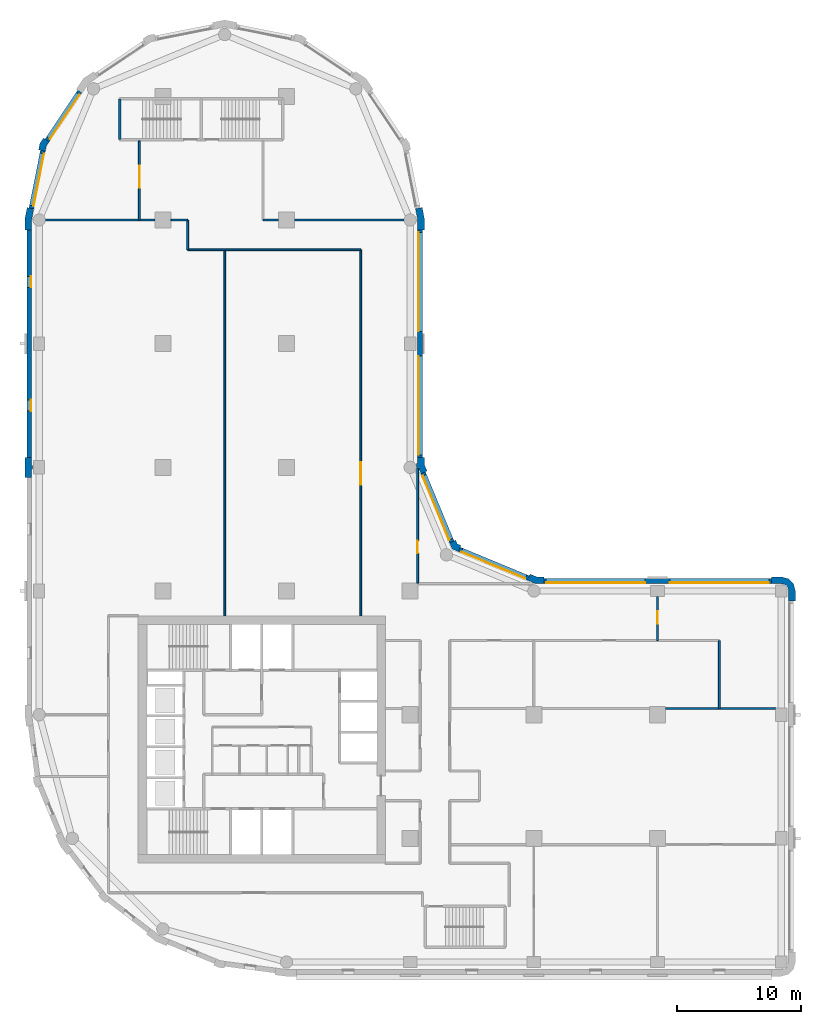
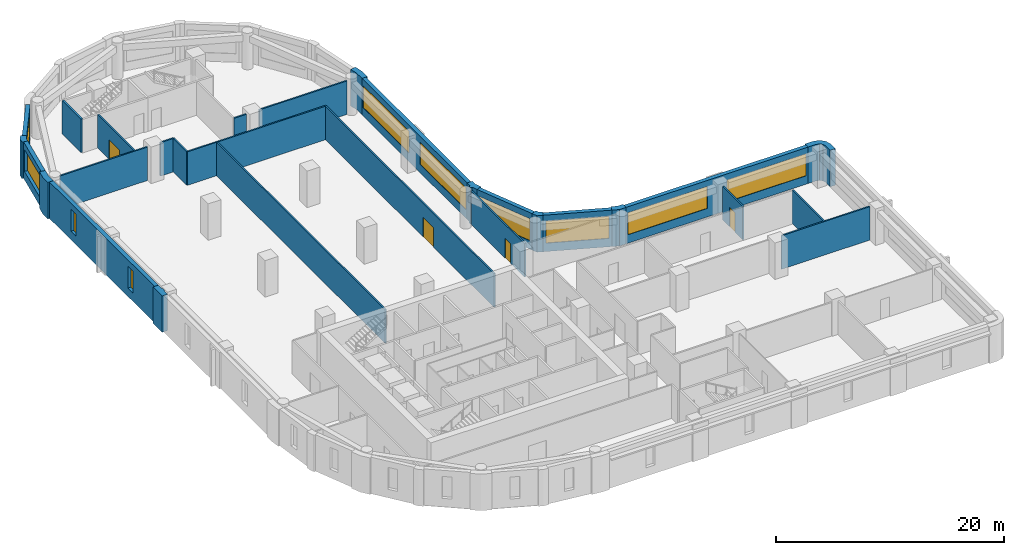
# One storey, part 5 of 9: 29 walls, 10 windows, 4 doors, 14 openings.
"""IFC4 building model written with IfcOpenShell, lengths in metres."""

from ifc_helpers import new_model, si_unit, direction, frame, frame_2d, origin, place, context, subcontext, project, spatial, polyline, rectangle, outline, extrude, material, layer, layer_set, type_object, element, fill, save


model = new_model("IFC4")

# Units and contexts
model_context = context("Model", 3, precision=1e-05, world=origin(), true_north=direction((0.0, 1.0)))
body_context = subcontext(model_context, "Body", "Model", "MODEL_VIEW")
ifc_project = project(units=[si_unit("LENGTHUNIT", "METRE"), si_unit("AREAUNIT", "SQUARE_METRE"), si_unit("VOLUMEUNIT", "CUBIC_METRE"), si_unit("PLANEANGLEUNIT", "RADIAN"), si_unit("MASSUNIT", "GRAM", prefix="KILO")], contexts=[model_context])

# Site, building, storey
site_placement = place(None, origin())
site = spatial("IfcSite", under=ifc_project, at=site_placement, CompositionType="ELEMENT")
building_placement = place(site_placement, origin())
building = spatial("IfcBuilding", under=site, at=building_placement, Name="Qaws Garden Tower", CompositionType="ELEMENT")
storey_placement = place(building_placement, frame((0.0, 0.0, 213.60009765625)))
storey = spatial("IfcBuildingStorey", under=building, at=storey_placement, Name="L52", CompositionType="ELEMENT", Elevation=213.60009765625)

# Wall
ifc_material_1 = material(Name="Clay facing brick masonry", Category="masonry")
ifc_layer_1 = layer(ifc_material_1, 0.550048828125)
ifc_layer_set_1 = layer_set([ifc_layer_1], Name="Clay facing brick masonry")
wall_type_1 = type_object("IfcWallType", Name="Brick corner pier 550 x 2400", PredefinedType="SOLIDWALL", material=ifc_layer_set_1)
placement = place(storey_placement, origin())
element("IfcWall", 1, at=placement, inside=storey, type_object=wall_type_1, Name="E-L52-pier-07", PredefinedType="SOLIDWALL", context=body_context, shape_type="SweptSolid", body=[
    extrude(outline(polyline([(61.0, 29.199951171875), (61.14990234375, 29.199951171875), (61.14990234375, 30.0), (60.995849609375, 30.574951171875), (60.574951171875, 30.995849609375), (60.0, 31.14990234375), (59.199951171875, 31.14990234375), (59.199951171875, 31.0), (59.199951171875, 30.60009765625), (60.0, 30.60009765625), (60.300048828125, 30.51953125), (60.51953125, 30.300048828125), (60.60009765625, 30.0), (60.60009765625, 29.199951171875), (61.0, 29.199951171875)])), origin(), (0.0, 0.0, 1.0), 3.89990234375),
])

# Wall, openings, windows
ifc_material_2 = material(Name="Clay facing brick masonry", Category="masonry")
ifc_layer_2 = layer(ifc_material_2, 0.39990234375)
ifc_layer_set_2 = layer_set([ifc_layer_2], Name="Clay facing brick masonry")
wall_type_2 = type_object("IfcWallType", Name="Brick infill wall 400", PredefinedType="SOLIDWALL", material=ifc_layer_set_2)
wall_2_placement = place(storey_placement, frame((59.199951171875, 30.800048828125, 0.0), z_axis=(0.0, 0.0, 1.0), x_axis=(-1.0, 0.0, 0.0)))
wall_2 = element("IfcWall", 2, at=wall_2_placement, inside=storey, type_object=wall_type_2, Name="E-L52-infill-07", PredefinedType="SOLIDWALL", context=body_context, shape_type="SweptSolid", body=[
    extrude(rectangle(XDim=18.39990234375, YDim=0.39990234375, at=frame_2d((9.199951171875, 0.0))), origin(), (0.0, 0.0, 1.0), 3.89990234375),
])
opening_1_placement = place(wall_2_placement, frame((0.199951171875, 0.0, 0.89990234375)))
opening_1 = element("IfcOpeningElement", 3, at=opening_1_placement, cuts=wall_2, Name="Opening W01", PredefinedType="OPENING", context=body_context, shape_type="SweptSolid", body=[
    extrude(rectangle(XDim=8.0, YDim=2.35009765625, at=frame_2d((4.0, 1.175048828125))), frame((0.0, 0.2099609375, 0.0), z_axis=(0.0, -1.0, 0.0), x_axis=(1.0, 0.0, 0.0)), (0.0, 0.0, 1.0), 0.419921875),
])
opening_2_placement = place(wall_2_placement, frame((10.199951171875, 0.0, 0.89990234375)))
opening_2 = element("IfcOpeningElement", 4, at=opening_2_placement, cuts=wall_2, Name="Opening W01", PredefinedType="OPENING", context=body_context, shape_type="SweptSolid", body=[
    extrude(rectangle(XDim=8.0, YDim=2.35009765625, at=frame_2d((4.0, 1.175048828125))), frame((0.0, 0.2099609375, 0.0), z_axis=(0.0, -1.0, 0.0), x_axis=(1.0, 0.0, 0.0)), (0.0, 0.0, 1.0), 0.419921875),
])
ifc_material_3 = material(Name="Aluminium framed window, clear glazing", Category="aluminium")
window_type_1 = type_object("IfcWindowType", Name="Ribbon window 8000 x 2350", PartitioningType="DOUBLE_PANEL_VERTICAL", PredefinedType="WINDOW", material=ifc_material_3)
window_1_placement = place(opening_1_placement, origin())
window_1 = element("IfcWindow", 5, at=window_1_placement, inside=storey, type_object=window_type_1, Name="E-L52-window-07-0", OverallHeight=2.35009765625, OverallWidth=8.0, PartitioningType="SINGLE_PANEL", PredefinedType="WINDOW", context=body_context, shape_type="SweptSolid", body=[
    extrude(rectangle(XDim=8.0, YDim=2.35009765625, at=frame_2d((4.0, 1.175048828125))), frame((0.0, 0.159912109375, 0.0), z_axis=(0.0, -1.0, 0.0), x_axis=(1.0, 0.0, 0.0)), (0.0, 0.0, 1.0), 0.06005859375),
])
fill(opening_1, window_1)
window_2_placement = place(opening_2_placement, origin())
window_2 = element("IfcWindow", 6, at=window_2_placement, inside=storey, type_object=window_type_1, Name="E-L52-window-08-0", OverallHeight=2.35009765625, OverallWidth=8.0, PartitioningType="SINGLE_PANEL", PredefinedType="WINDOW", context=body_context, shape_type="SweptSolid", body=[
    extrude(rectangle(XDim=8.0, YDim=2.35009765625, at=frame_2d((4.0, 1.175048828125))), frame((0.0, 0.159912109375, 0.0), z_axis=(0.0, -1.0, 0.0), x_axis=(1.0, 0.0, 0.0)), (0.0, 0.0, 1.0), 0.06005859375),
])
fill(opening_2, window_2)

# Wall, opening, window
wall_3_placement = place(storey_placement, frame((39.56689453125, 31.04541015625, 0.0), z_axis=(0.0, 0.0, 1.0), x_axis=(-0.923891000409, 0.382655745237, 0.0)))
wall_3 = element("IfcWall", 7, at=wall_3_placement, inside=storey, type_object=wall_type_2, Name="E-L52-infill-09", PredefinedType="SOLIDWALL", context=body_context, shape_type="SweptSolid", body=[
    extrude(rectangle(XDim=6.053466796875, YDim=0.39990234375, at=frame_2d((3.02685546875, 0.0))), origin(), (0.0, 0.0, 1.0), 3.89990234375),
])
opening_3_placement = place(wall_3_placement, frame((0.226806640625, 0.0, 0.89990234375)))
opening_3 = element("IfcOpeningElement", 8, at=opening_3_placement, cuts=wall_3, Name="Opening W04", PredefinedType="OPENING", context=body_context, shape_type="SweptSolid", body=[
    extrude(rectangle(XDim=5.60009765625, YDim=2.35009765625, at=frame_2d((2.800048828125, 1.175048828125))), frame((0.0, 0.2099609375, 0.0), z_axis=(0.0, -1.0, 0.0), x_axis=(1.0, 0.0, 0.0)), (0.0, 0.0, 1.0), 0.419921875),
])
ifc_material_4 = material(Name="Aluminium framed window, clear glazing", Category="aluminium")
window_type_2 = type_object("IfcWindowType", Name="Ribbon window 5600 x 2350", PartitioningType="DOUBLE_PANEL_VERTICAL", PredefinedType="WINDOW", material=ifc_material_4)
window_3_placement = place(opening_3_placement, origin())
window_3 = element("IfcWindow", 9, at=window_3_placement, inside=storey, type_object=window_type_2, Name="E-L52-window-09-0", OverallHeight=2.35009765625, OverallWidth=5.60009765625, PartitioningType="SINGLE_PANEL", PredefinedType="WINDOW", context=body_context, shape_type="SweptSolid", body=[
    extrude(rectangle(XDim=5.60009765625, YDim=2.35009765625, at=frame_2d((2.800048828125, 1.175048828125))), frame((0.0, 0.159912109375, 0.0), z_axis=(0.0, -1.0, 0.0), x_axis=(1.0, 0.0, 0.0)), (0.0, 0.0, 1.0), 0.06005859375),
])
fill(opening_3, window_3)

wall_4_placement = place(storey_placement, frame((33.36181640625, 33.97412109375, 0.0), z_axis=(0.0, 0.0, 1.0), x_axis=(-0.382655745237, 0.923891000409, 0.0)))
wall_4 = element("IfcWall", 10, at=wall_4_placement, inside=storey, type_object=wall_type_2, Name="E-L52-infill-10", PredefinedType="SOLIDWALL", context=body_context, shape_type="SweptSolid", body=[
    extrude(rectangle(XDim=6.053466796875, YDim=0.39990234375, at=frame_2d((3.02685546875, 0.0))), origin(), (0.0, 0.0, 1.0), 3.89990234375),
])
opening_4_placement = place(wall_4_placement, frame((0.226806640625, 0.0, 0.89990234375)))
opening_4 = element("IfcOpeningElement", 11, at=opening_4_placement, cuts=wall_4, Name="Opening W04", PredefinedType="OPENING", context=body_context, shape_type="SweptSolid", body=[
    extrude(rectangle(XDim=5.60009765625, YDim=2.35009765625, at=frame_2d((2.800048828125, 1.175048828125))), frame((0.0, 0.2099609375, 0.0), z_axis=(0.0, -1.0, 0.0), x_axis=(1.0, 0.0, 0.0)), (0.0, 0.0, 1.0), 0.419921875),
])
window_4_placement = place(opening_4_placement, origin())
window_4 = element("IfcWindow", 12, at=window_4_placement, inside=storey, type_object=window_type_2, Name="E-L52-window-10-0", OverallHeight=2.35009765625, OverallWidth=5.60009765625, PartitioningType="SINGLE_PANEL", PredefinedType="WINDOW", context=body_context, shape_type="SweptSolid", body=[
    extrude(rectangle(XDim=5.60009765625, YDim=2.35009765625, at=frame_2d((2.800048828125, 1.175048828125))), frame((0.0, 0.159912109375, 0.0), z_axis=(0.0, -1.0, 0.0), x_axis=(1.0, 0.0, 0.0)), (0.0, 0.0, 1.0), 0.06005859375),
])
fill(opening_4, window_4)

# Wall, openings, windows
wall_5_placement = place(storey_placement, frame((30.800048828125, 40.800048828125, 0.0), z_axis=(0.0, 0.0, 1.0), x_axis=(0.0, 1.0, 0.0)))
wall_5 = element("IfcWall", 13, at=wall_5_placement, inside=storey, type_object=wall_type_2, Name="E-L52-infill-11", PredefinedType="SOLIDWALL", context=body_context, shape_type="SweptSolid", body=[
    extrude(rectangle(XDim=18.39990234375, YDim=0.39990234375, at=frame_2d((9.199951171875, 0.0))), origin(), (0.0, 0.0, 1.0), 3.89990234375),
])
opening_5_placement = place(wall_5_placement, frame((0.199951171875, 0.0, 0.89990234375)))
opening_5 = element("IfcOpeningElement", 14, at=opening_5_placement, cuts=wall_5, Name="Opening W01", PredefinedType="OPENING", context=body_context, shape_type="SweptSolid", body=[
    extrude(rectangle(XDim=8.0, YDim=2.35009765625, at=frame_2d((4.0, 1.175048828125))), frame((0.0, 0.2099609375, 0.0), z_axis=(0.0, -1.0, 0.0), x_axis=(1.0, 0.0, 0.0)), (0.0, 0.0, 1.0), 0.419921875),
])
opening_6_placement = place(wall_5_placement, frame((10.199951171875, 0.0, 0.89990234375)))
opening_6 = element("IfcOpeningElement", 15, at=opening_6_placement, cuts=wall_5, Name="Opening W01", PredefinedType="OPENING", context=body_context, shape_type="SweptSolid", body=[
    extrude(rectangle(XDim=8.0, YDim=2.35009765625, at=frame_2d((4.0, 1.175048828125))), frame((0.0, 0.2099609375, 0.0), z_axis=(0.0, -1.0, 0.0), x_axis=(1.0, 0.0, 0.0)), (0.0, 0.0, 1.0), 0.419921875),
])
window_5_placement = place(opening_5_placement, origin())
window_5 = element("IfcWindow", 16, at=window_5_placement, inside=storey, type_object=window_type_1, Name="E-L52-window-11-0", OverallHeight=2.35009765625, OverallWidth=8.0, PartitioningType="SINGLE_PANEL", PredefinedType="WINDOW", context=body_context, shape_type="SweptSolid", body=[
    extrude(rectangle(XDim=8.0, YDim=2.35009765625, at=frame_2d((4.0, 1.175048828125))), frame((0.0, 0.159912109375, 0.0), z_axis=(0.0, -1.0, 0.0), x_axis=(1.0, 0.0, 0.0)), (0.0, 0.0, 1.0), 0.06005859375),
])
fill(opening_5, window_5)
window_6_placement = place(opening_6_placement, origin())
window_6 = element("IfcWindow", 17, at=window_6_placement, inside=storey, type_object=window_type_1, Name="E-L52-window-12-0", OverallHeight=2.35009765625, OverallWidth=8.0, PartitioningType="SINGLE_PANEL", PredefinedType="WINDOW", context=body_context, shape_type="SweptSolid", body=[
    extrude(rectangle(XDim=8.0, YDim=2.35009765625, at=frame_2d((4.0, 1.175048828125))), frame((0.0, 0.159912109375, 0.0), z_axis=(0.0, -1.0, 0.0), x_axis=(1.0, 0.0, 0.0)), (0.0, 0.0, 1.0), 0.06005859375),
])
fill(opening_6, window_6)

# Wall, opening, window
wall_6_placement = place(storey_placement, frame((3.28369140625, 70.385986328125, 0.0), z_axis=(0.0, 0.0, 1.0), x_axis=(-0.555541552266, -0.831488775454, 0.0)))
wall_6 = element("IfcWall", 18, at=wall_6_placement, inside=storey, type_object=wall_type_2, Name="E-L52-infill-19", PredefinedType="SOLIDWALL", context=body_context, shape_type="SweptSolid", body=[
    extrude(rectangle(XDim=4.752685546875, YDim=0.39990234375, at=frame_2d((2.37646484375, 0.0))), origin(), (0.0, 0.0, 1.0), 3.89990234375),
])
opening_7_placement = place(wall_6_placement, frame((0.226318359375, 0.0, 0.89990234375)))
opening_7 = element("IfcOpeningElement", 19, at=opening_7_placement, cuts=wall_6, Name="Opening W06", PredefinedType="OPENING", context=body_context, shape_type="SweptSolid", body=[
    extrude(rectangle(XDim=4.300048828125, YDim=2.35009765625, at=frame_2d((2.14990234375, 1.175048828125))), frame((0.0, 0.2099609375, 0.0), z_axis=(0.0, -1.0, 0.0), x_axis=(1.0, 0.0, 0.0)), (0.0, 0.0, 1.0), 0.419921875),
])
ifc_material_5 = material(Name="Aluminium framed window, clear glazing", Category="aluminium")
window_type_3 = type_object("IfcWindowType", Name="Ribbon window 4300 x 2350", PartitioningType="DOUBLE_PANEL_VERTICAL", PredefinedType="WINDOW", material=ifc_material_5)
window_7_placement = place(opening_7_placement, origin())
window_7 = element("IfcWindow", 20, at=window_7_placement, inside=storey, type_object=window_type_3, Name="E-L52-window-19-0", OverallHeight=2.35009765625, OverallWidth=4.300048828125, PartitioningType="SINGLE_PANEL", PredefinedType="WINDOW", context=body_context, shape_type="SweptSolid", body=[
    extrude(rectangle(XDim=4.300048828125, YDim=2.35009765625, at=frame_2d((2.14990234375, 1.175048828125))), frame((0.0, 0.159912109375, 0.0), z_axis=(0.0, -1.0, 0.0), x_axis=(1.0, 0.0, 0.0)), (0.0, 0.0, 1.0), 0.06005859375),
])
fill(opening_7, window_7)

wall_7_placement = place(storey_placement, frame((0.298583984375, 65.60205078125, 0.0), z_axis=(0.0, 0.0, 1.0), x_axis=(-0.195098533057, -0.98078364709, 0.0)))
wall_7 = element("IfcWall", 21, at=wall_7_placement, inside=storey, type_object=wall_type_2, Name="E-L52-infill-20", PredefinedType="SOLIDWALL", context=body_context, shape_type="SweptSolid", body=[
    extrude(rectangle(XDim=4.752685546875, YDim=0.39990234375, at=frame_2d((2.37646484375, 0.0))), origin(), (0.0, 0.0, 1.0), 3.89990234375),
])
opening_8_placement = place(wall_7_placement, frame((0.226318359375, 0.0, 0.89990234375)))
opening_8 = element("IfcOpeningElement", 22, at=opening_8_placement, cuts=wall_7, Name="Opening W06", PredefinedType="OPENING", context=body_context, shape_type="SweptSolid", body=[
    extrude(rectangle(XDim=4.300048828125, YDim=2.35009765625, at=frame_2d((2.14990234375, 1.175048828125))), frame((0.0, 0.2099609375, 0.0), z_axis=(0.0, -1.0, 0.0), x_axis=(1.0, 0.0, 0.0)), (0.0, 0.0, 1.0), 0.419921875),
])
window_8_placement = place(opening_8_placement, origin())
window_8 = element("IfcWindow", 23, at=window_8_placement, inside=storey, type_object=window_type_3, Name="E-L52-window-20-0", OverallHeight=2.35009765625, OverallWidth=4.300048828125, PartitioningType="SINGLE_PANEL", PredefinedType="WINDOW", context=body_context, shape_type="SweptSolid", body=[
    extrude(rectangle(XDim=4.300048828125, YDim=2.35009765625, at=frame_2d((2.14990234375, 1.175048828125))), frame((0.0, 0.159912109375, 0.0), z_axis=(0.0, -1.0, 0.0), x_axis=(1.0, 0.0, 0.0)), (0.0, 0.0, 1.0), 0.06005859375),
])
fill(opening_8, window_8)

# Wall, openings, windows
wall_8_placement = place(storey_placement, frame((-0.800048828125, 59.199951171875, 0.0), z_axis=(0.0, 0.0, 1.0), x_axis=(0.0, -1.0, 0.0)))
wall_8 = element("IfcWall", 24, at=wall_8_placement, inside=storey, type_object=wall_type_2, Name="E-L52-infill-21", PredefinedType="SOLIDWALL", context=body_context, shape_type="SweptSolid", body=[
    extrude(rectangle(XDim=18.39990234375, YDim=0.39990234375, at=frame_2d((9.199951171875, 0.0))), origin(), (0.0, 0.0, 1.0), 3.89990234375),
])
opening_9_placement = place(wall_8_placement, frame((3.75, 0.0, 0.89990234375)))
opening_9 = element("IfcOpeningElement", 25, at=opening_9_placement, cuts=wall_8, Name="Opening W09", PredefinedType="OPENING", context=body_context, shape_type="SweptSolid", body=[
    extrude(rectangle(XDim=0.89990234375, YDim=2.35009765625, at=frame_2d((0.449951171875, 1.175048828125))), frame((0.0, 0.2099609375, 0.0), z_axis=(0.0, -1.0, 0.0), x_axis=(1.0, 0.0, 0.0)), (0.0, 0.0, 1.0), 0.419921875),
])
opening_10_placement = place(wall_8_placement, frame((13.75, 0.0, 0.89990234375)))
opening_10 = element("IfcOpeningElement", 26, at=opening_10_placement, cuts=wall_8, Name="Opening W09", PredefinedType="OPENING", context=body_context, shape_type="SweptSolid", body=[
    extrude(rectangle(XDim=0.89990234375, YDim=2.35009765625, at=frame_2d((0.449951171875, 1.175048828125))), frame((0.0, 0.2099609375, 0.0), z_axis=(0.0, -1.0, 0.0), x_axis=(1.0, 0.0, 0.0)), (0.0, 0.0, 1.0), 0.419921875),
])
ifc_material_6 = material(Name="Aluminium framed window, clear glazing", Category="aluminium")
window_type_4 = type_object("IfcWindowType", Name="Slit window 900 x 2350", PartitioningType="SINGLE_PANEL", PredefinedType="WINDOW", material=ifc_material_6)
window_9_placement = place(opening_9_placement, origin())
window_9 = element("IfcWindow", 27, at=window_9_placement, inside=storey, type_object=window_type_4, Name="E-L52-window-21-0", OverallHeight=2.35009765625, OverallWidth=0.89990234375, PartitioningType="SINGLE_PANEL", PredefinedType="WINDOW", context=body_context, shape_type="SweptSolid", body=[
    extrude(rectangle(XDim=0.89990234375, YDim=2.35009765625, at=frame_2d((0.449951171875, 1.175048828125))), frame((0.0, 0.159912109375, 0.0), z_axis=(0.0, -1.0, 0.0), x_axis=(1.0, 0.0, 0.0)), (0.0, 0.0, 1.0), 0.06005859375),
])
fill(opening_9, window_9)
window_10_placement = place(opening_10_placement, origin())
window_10 = element("IfcWindow", 28, at=window_10_placement, inside=storey, type_object=window_type_4, Name="E-L52-window-22-0", OverallHeight=2.35009765625, OverallWidth=0.89990234375, PartitioningType="SINGLE_PANEL", PredefinedType="WINDOW", context=body_context, shape_type="SweptSolid", body=[
    extrude(rectangle(XDim=0.89990234375, YDim=2.35009765625, at=frame_2d((0.449951171875, 1.175048828125))), frame((0.0, 0.159912109375, 0.0), z_axis=(0.0, -1.0, 0.0), x_axis=(1.0, 0.0, 0.0)), (0.0, 0.0, 1.0), 0.06005859375),
])
fill(opening_10, window_10)

# Walls
ifc_material_7 = material(Name="Clay facing brick masonry", Category="masonry")
ifc_layer_3 = layer(ifc_material_7, 0.550048828125)
ifc_layer_set_3 = layer_set([ifc_layer_3], Name="Clay facing brick masonry")
wall_type_3 = type_object("IfcWallType", Name="Brick kink pier 550 x 600", PredefinedType="SOLIDWALL", material=ifc_layer_set_3)
element("IfcWall", 29, at=placement, inside=storey, type_object=wall_type_3, Name="E-L52-pier-20", PredefinedType="SOLIDWALL", context=body_context, shape_type="SweptSolid", body=[
    extrude(outline(polyline([(0.47705078125, 66.545166015625), (0.352294921875, 66.628662109375), (0.05859375, 66.18896484375), (-0.044677734375, 65.67041015625), (0.1025390625, 65.64111328125), (0.494873046875, 65.56298828125), (0.57666015625, 65.974365234375), (0.8095703125, 66.322998046875), (0.47705078125, 66.545166015625)])), origin(), (0.0, 0.0, 1.0), 3.89990234375),
])
ifc_material_8 = material(Name="Clay facing brick masonry", Category="masonry")
ifc_layer_4 = layer(ifc_material_8, 0.550048828125)
ifc_layer_set_4 = layer_set([ifc_layer_4], Name="Clay facing brick masonry")
wall_type_4 = type_object("IfcWallType", Name="Brick pier 550 x 1600", PredefinedType="SOLIDWALL", material=ifc_layer_set_4)
element("IfcWall", 30, at=placement, inside=storey, type_object=wall_type_4, Name="E-L52-pier-09", PredefinedType="SOLIDWALL", context=body_context, shape_type="SweptSolid", body=[
    extrude(outline(polyline([(40.800048828125, 31.0), (40.800048828125, 31.14990234375), (40.228759765625, 31.14990234375), (39.700927734375, 31.36865234375), (39.6435546875, 31.22998046875), (39.490478515625, 30.860595703125), (40.119384765625, 30.60009765625), (40.800048828125, 30.60009765625), (40.800048828125, 31.0)])), origin(), (0.0, 0.0, 1.0), 3.89990234375),
])
element("IfcWall", 31, at=placement, inside=storey, type_object=wall_type_4, Name="E-L52-pier-10", PredefinedType="SOLIDWALL", context=body_context, shape_type="SweptSolid", body=[
    extrude(outline(polyline([(34.05078125, 33.546630859375), (34.108154296875, 33.685302734375), (33.80908203125, 33.80908203125), (33.685302734375, 34.108154296875), (33.546630859375, 34.05078125), (33.177001953125, 33.897705078125), (33.38818359375, 33.38818359375), (33.897705078125, 33.177001953125), (34.05078125, 33.546630859375)])), origin(), (0.0, 0.0, 1.0), 3.89990234375),
])
element("IfcWall", 32, at=placement, inside=storey, type_object=wall_type_4, Name="E-L52-pier-11", PredefinedType="SOLIDWALL", context=body_context, shape_type="SweptSolid", body=[
    extrude(outline(polyline([(30.6201171875, 39.995361328125), (30.6201171875, 40.071044921875), (30.860595703125, 39.490478515625), (31.22998046875, 39.6435546875), (31.36865234375, 39.700927734375), (31.14990234375, 40.228759765625), (31.14990234375, 40.800048828125), (31.0, 40.800048828125), (30.60009765625, 40.800048828125), (30.60009765625, 40.29541015625), (30.5, 40.29541015625), (30.5, 39.995361328125), (30.6201171875, 39.995361328125)])), origin(), (0.0, 0.0, 1.0), 3.89990234375),
])
element("IfcWall", 33, at=placement, inside=storey, type_object=wall_type_4, Name="E-L52-pier-13", PredefinedType="SOLIDWALL", context=body_context, shape_type="SweptSolid", body=[
    extrude(outline(polyline([(31.0, 59.199951171875), (31.14990234375, 59.199951171875), (31.14990234375, 60.11328125), (30.971923828125, 61.009033203125), (30.82470703125, 60.979736328125), (30.432373046875, 60.901611328125), (30.60009765625, 60.05908203125), (30.60009765625, 59.199951171875), (31.0, 59.199951171875)])), origin(), (0.0, 0.0, 1.0), 3.89990234375),
])
element("IfcWall", 34, at=placement, inside=storey, type_object=wall_type_4, Name="E-L52-pier-21", PredefinedType="SOLIDWALL", context=body_context, shape_type="SweptSolid", body=[
    extrude(outline(polyline([(-0.82470703125, 60.979736328125), (-0.971923828125, 61.009033203125), (-1.14990234375, 60.11328125), (-1.14990234375, 59.199951171875), (-1.0, 59.199951171875), (-0.60009765625, 59.199951171875), (-0.60009765625, 60.05908203125), (-0.432373046875, 60.901611328125), (-0.82470703125, 60.979736328125)])), origin(), (0.0, 0.0, 1.0), 3.89990234375),
])
element("IfcWall", 35, at=placement, inside=storey, type_object=wall_type_4, Name="E-L52-pier-23", PredefinedType="SOLIDWALL", context=body_context, shape_type="SweptSolid", body=[
    extrude(outline(polyline([(-0.60009765625, 39.199951171875), (-0.60009765625, 39.85009765625), (-0.550048828125, 39.85009765625), (-0.550048828125, 40.14990234375), (-0.60009765625, 40.14990234375), (-0.60009765625, 40.800048828125), (-1.0, 40.800048828125), (-1.14990234375, 40.800048828125), (-1.14990234375, 40.0), (-1.14990234375, 39.199951171875), (-1.0, 39.199951171875), (-0.60009765625, 39.199951171875)])), origin(), (0.0, 0.0, 1.0), 3.89990234375),
])
ifc_material_9 = material(Name="Concrete C70", Category="concrete")
ifc_layer_5 = layer(ifc_material_9, 0.199951171875)
ifc_layer_set_5 = layer_set([ifc_layer_5], Name="Concrete C70")
wall_type_5 = type_object("IfcWallType", Name="Core shaft wall 200 C70", PredefinedType="SHEAR", material=ifc_layer_set_5)
wall_16_placement = place(storey_placement, frame((6.5, 66.5, 0.0), z_axis=(0.0, 0.0, 1.0), x_axis=(0.0, 1.0, 0.0)))
element("IfcWall", 36, at=wall_16_placement, inside=storey, type_object=wall_type_5, Name="Shaft wall", PredefinedType="SHEAR", context=body_context, shape_type="SweptSolid", body=[
    extrude(rectangle(XDim=3.300048828125, YDim=0.199951171875, at=frame_2d((1.64990234375, 0.0))), origin(), (0.0, 0.0, 1.0), 3.579833984375),
])

# Wall, opening, door
ifc_material_10 = material(Name="Gypsum board partition")
ifc_layer_6 = layer(ifc_material_10, 0.14990234375)
ifc_layer_set_6 = layer_set([ifc_layer_6], Name="Gypsum board partition")
wall_type_6 = type_object("IfcWallType", Name="PARTITION 150 EI 60", PredefinedType="PARTITIONING", material=ifc_layer_set_6)
wall_17_placement = place(storey_placement, frame((8.10009765625, 60.0, 0.0), z_axis=(0.0, 0.0, 1.0), x_axis=(0.0, 1.0, 0.0)))
wall_17 = element("IfcWall", 37, at=wall_17_placement, inside=storey, type_object=wall_type_6, Name="O-L52-wall-004", PredefinedType="PARTITIONING", context=body_context, shape_type="SweptSolid", body=[
    extrude(rectangle(XDim=6.39990234375, YDim=0.14990234375, at=frame_2d((3.199951171875, 0.0))), origin(), (0.0, 0.0, 1.0), 3.579833984375),
])
opening_11_placement = place(wall_17_placement, frame((2.60009765625, 0.0, 0.0)))
opening_11 = element("IfcOpeningElement", 38, at=opening_11_placement, cuts=wall_17, Name="Opening B805", PredefinedType="OPENING", context=body_context, shape_type="SweptSolid", body=[
    extrude(rectangle(XDim=1.800048828125, YDim=2.10009765625, at=frame_2d((0.89990234375, 1.050048828125))), frame((0.0, 0.0849609375, 0.0), z_axis=(0.0, -1.0, 0.0), x_axis=(1.0, 0.0, 0.0)), (0.0, 0.0, 1.0), 0.169921875),
])
ifc_material_11 = material(Name="Timber door leaf", Category="wood")
door_type_1 = type_object("IfcDoorType", Name="DOUBLE DOOR 1800 X 2100", OperationType="DOUBLE_DOOR_SINGLE_SWING", PredefinedType="DOOR", material=ifc_material_11)
door_1_placement = place(opening_11_placement, origin())
door_1 = element("IfcDoor", 39, at=door_1_placement, inside=storey, type_object=door_type_1, Name="O-L52-door-005", OperationType="DOUBLE_DOOR_SINGLE_SWING", OverallHeight=2.10009765625, OverallWidth=1.800048828125, PredefinedType="DOOR", context=body_context, shape_type="SweptSolid", body=[
    extrude(rectangle(XDim=1.800048828125, YDim=2.10009765625, at=frame_2d((0.89990234375, 1.050048828125))), frame((0.0, 0.02490234375, 0.0), z_axis=(0.0, -1.0, 0.0), x_axis=(1.0, 0.0, 0.0)), (0.0, 0.0, 1.0), 0.050048828125),
])
fill(opening_11, door_1)

# Walls
wall_18_placement = place(storey_placement, frame((12.0, 57.60009765625, 0.0), z_axis=(0.0, 0.0, 1.0), x_axis=(0.0, 1.0, 0.0)))
element("IfcWall", 40, at=wall_18_placement, inside=storey, type_object=wall_type_6, Name="O-L52-wall-005", PredefinedType="PARTITIONING", context=body_context, shape_type="SweptSolid", body=[
    extrude(rectangle(XDim=2.39990234375, YDim=0.14990234375, at=frame_2d((1.199951171875, 0.0))), origin(), (0.0, 0.0, 1.0), 3.579833984375),
])
wall_19_placement = place(storey_placement, frame((15.0, 28.0, 0.0), z_axis=(0.0, 0.0, 1.0), x_axis=(0.0, 1.0, 0.0)))
element("IfcWall", 41, at=wall_19_placement, inside=storey, type_object=wall_type_6, Name="O-L52-wall-006", PredefinedType="PARTITIONING", context=body_context, shape_type="SweptSolid", body=[
    extrude(rectangle(XDim=29.60009765625, YDim=0.14990234375, at=frame_2d((14.800048828125, 0.0))), origin(), (0.0, 0.0, 1.0), 3.579833984375),
])

# Wall, opening, door
wall_20_placement = place(storey_placement, frame((26.0, 28.0, 0.0), z_axis=(0.0, 0.0, 1.0), x_axis=(0.0, 1.0, 0.0)))
wall_20 = element("IfcWall", 42, at=wall_20_placement, inside=storey, type_object=wall_type_6, Name="O-L52-wall-008", PredefinedType="PARTITIONING", context=body_context, shape_type="SweptSolid", body=[
    extrude(rectangle(XDim=29.60009765625, YDim=0.14990234375, at=frame_2d((14.800048828125, 0.0))), origin(), (0.0, 0.0, 1.0), 3.579833984375),
])
opening_12_placement = place(wall_20_placement, frame((10.60009765625, 0.0, 0.0)))
opening_12 = element("IfcOpeningElement", 43, at=opening_12_placement, cuts=wall_20, Name="Opening B803", PredefinedType="OPENING", context=body_context, shape_type="SweptSolid", body=[
    extrude(rectangle(XDim=1.800048828125, YDim=2.10009765625, at=frame_2d((0.89990234375, 1.050048828125))), frame((0.0, 0.0849609375, 0.0), z_axis=(0.0, -1.0, 0.0), x_axis=(1.0, 0.0, 0.0)), (0.0, 0.0, 1.0), 0.169921875),
])
door_2_placement = place(opening_12_placement, origin())
door_2 = element("IfcDoor", 44, at=door_2_placement, inside=storey, type_object=door_type_1, Name="O-L52-door-003", OperationType="DOUBLE_DOOR_SINGLE_SWING", OverallHeight=2.10009765625, OverallWidth=1.800048828125, PredefinedType="DOOR", context=body_context, shape_type="SweptSolid", body=[
    extrude(rectangle(XDim=1.800048828125, YDim=2.10009765625, at=frame_2d((0.89990234375, 1.050048828125))), frame((0.0, 0.02490234375, 0.0), z_axis=(0.0, -1.0, 0.0), x_axis=(1.0, 0.0, 0.0)), (0.0, 0.0, 1.0), 0.050048828125),
])
fill(opening_12, door_2)

wall_21_placement = place(storey_placement, frame((30.60009765625, 30.64990234375, 0.0), z_axis=(0.0, 0.0, 1.0), x_axis=(0.0, 1.0, 0.0)))
wall_21 = element("IfcWall", 45, at=wall_21_placement, inside=storey, type_object=wall_type_6, Name="O-L52-wall-009", PredefinedType="PARTITIONING", context=body_context, shape_type="SweptSolid", body=[
    extrude(rectangle(XDim=9.288330078125, YDim=0.14990234375, at=frame_2d((4.64404296875, 0.0))), origin(), (0.0, 0.0, 1.0), 3.579833984375),
])
opening_13_placement = place(wall_21_placement, frame((2.39990234375, 0.0, 0.0)))
opening_13 = element("IfcOpeningElement", 46, at=opening_13_placement, cuts=wall_21, Name="Opening B807", PredefinedType="OPENING", context=body_context, shape_type="SweptSolid", body=[
    extrude(rectangle(XDim=1.0, YDim=2.10009765625, at=frame_2d((0.5, 1.050048828125))), frame((0.0, 0.0849609375, 0.0), z_axis=(0.0, -1.0, 0.0), x_axis=(1.0, 0.0, 0.0)), (0.0, 0.0, 1.0), 0.169921875),
])
ifc_material_12 = material(Name="Timber door leaf", Category="wood")
door_type_2 = type_object("IfcDoorType", Name="TENANCY ENTRANCE DOOR 1000 X 2100", OperationType="SINGLE_SWING_LEFT", PredefinedType="DOOR", material=ifc_material_12)
door_3_placement = place(opening_13_placement, frame((1.0, 0.0, 0.0), z_axis=(0.0, 0.0, 1.0), x_axis=(-1.0, 0.0, 0.0)))
door_3 = element("IfcDoor", 47, at=door_3_placement, inside=storey, type_object=door_type_2, Name="O-L52-door-007", OperationType="SINGLE_SWING_LEFT", OverallHeight=2.10009765625, OverallWidth=1.0, PredefinedType="DOOR", context=body_context, shape_type="SweptSolid", body=[
    extrude(rectangle(XDim=1.0, YDim=2.10009765625, at=frame_2d((0.5, 1.050048828125))), frame((0.0, 0.02490234375, 0.0), z_axis=(0.0, -1.0, 0.0), x_axis=(1.0, 0.0, 0.0)), (0.0, 0.0, 1.0), 0.050048828125),
])
fill(opening_13, door_3)

wall_22_placement = place(storey_placement, frame((50.0, 26.0, 0.0), z_axis=(0.0, 0.0, 1.0), x_axis=(0.0, 1.0, 0.0)))
wall_22 = element("IfcWall", 48, at=wall_22_placement, inside=storey, type_object=wall_type_6, Name="O-L52-wall-019", PredefinedType="PARTITIONING", context=body_context, shape_type="SweptSolid", body=[
    extrude(rectangle(XDim=3.550048828125, YDim=0.14990234375, at=frame_2d((1.77490234375, 0.0))), origin(), (0.0, 0.0, 1.0), 3.579833984375),
])
opening_14_placement = place(wall_22_placement, frame((1.35009765625, 0.0, 0.0)))
opening_14 = element("IfcOpeningElement", 49, at=opening_14_placement, cuts=wall_22, Name="Opening B806", PredefinedType="OPENING", context=body_context, shape_type="SweptSolid", body=[
    extrude(rectangle(XDim=1.0, YDim=2.10009765625, at=frame_2d((0.5, 1.050048828125))), frame((0.0, 0.0849609375, 0.0), z_axis=(0.0, -1.0, 0.0), x_axis=(1.0, 0.0, 0.0)), (0.0, 0.0, 1.0), 0.169921875),
])
door_4_placement = place(opening_14_placement, frame((1.0, 0.0, 0.0), z_axis=(0.0, 0.0, 1.0), x_axis=(-1.0, 0.0, 0.0)))
door_4 = element("IfcDoor", 50, at=door_4_placement, inside=storey, type_object=door_type_2, Name="O-L52-door-006", OperationType="SINGLE_SWING_LEFT", OverallHeight=2.10009765625, OverallWidth=1.0, PredefinedType="DOOR", context=body_context, shape_type="SweptSolid", body=[
    extrude(rectangle(XDim=1.0, YDim=2.10009765625, at=frame_2d((0.5, 1.050048828125))), frame((0.0, 0.02490234375, 0.0), z_axis=(0.0, -1.0, 0.0), x_axis=(1.0, 0.0, 0.0)), (0.0, 0.0, 1.0), 0.050048828125),
])
fill(opening_14, door_4)

# Walls
wall_23_placement = place(storey_placement, frame((55.0, 20.5, 0.0), z_axis=(0.0, 0.0, 1.0), x_axis=(0.0, 1.0, 0.0)))
element("IfcWall", 51, at=wall_23_placement, inside=storey, type_object=wall_type_6, Name="O-L52-wall-020", PredefinedType="PARTITIONING", context=body_context, shape_type="SweptSolid", body=[
    extrude(rectangle(XDim=5.5, YDim=0.14990234375, at=frame_2d((2.75, 0.0))), origin(), (0.0, 0.0, 1.0), 3.579833984375),
])
wall_24_placement = place(storey_placement, frame((50.64990234375, 20.5, 0.0), z_axis=(0.0, 0.0, 1.0), x_axis=(1.0, 0.0, 0.0)))
element("IfcWall", 52, at=wall_24_placement, inside=storey, type_object=wall_type_6, Name="O-L52-wall-035", PredefinedType="PARTITIONING", context=body_context, shape_type="SweptSolid", body=[
    extrude(rectangle(XDim=8.900146484375, YDim=0.14990234375, at=frame_2d((4.4501953125, 0.0))), origin(), (0.0, 0.0, 1.0), 3.579833984375),
])
wall_25_placement = place(storey_placement, frame((12.0, 57.60009765625, 0.0), z_axis=(0.0, 0.0, 1.0), x_axis=(1.0, 0.0, 0.0)))
element("IfcWall", 53, at=wall_25_placement, inside=storey, type_object=wall_type_6, Name="O-L52-wall-040", PredefinedType="PARTITIONING", context=body_context, shape_type="SweptSolid", body=[
    extrude(rectangle(XDim=14.0, YDim=0.14990234375, at=frame_2d((7.0, 0.0))), origin(), (0.0, 0.0, 1.0), 3.579833984375),
])
wall_26_placement = place(storey_placement, frame((0.5, 60.0, 0.0), z_axis=(0.0, 0.0, 1.0), x_axis=(1.0, 0.0, 0.0)))
element("IfcWall", 54, at=wall_26_placement, inside=storey, type_object=wall_type_6, Name="O-L52-wall-041", PredefinedType="PARTITIONING", context=body_context, shape_type="SweptSolid", body=[
    extrude(rectangle(XDim=8.85009765625, YDim=0.14990234375, at=frame_2d((4.425048828125, 0.0))), origin(), (0.0, 0.0, 1.0), 3.579833984375),
])
wall_27_placement = place(storey_placement, frame((10.64990234375, 60.0, 0.0), z_axis=(0.0, 0.0, 1.0), x_axis=(1.0, 0.0, 0.0)))
element("IfcWall", 55, at=wall_27_placement, inside=storey, type_object=wall_type_6, Name="O-L52-wall-042", PredefinedType="PARTITIONING", context=body_context, shape_type="SweptSolid", body=[
    extrude(rectangle(XDim=1.35009765625, YDim=0.14990234375, at=frame_2d((0.675048828125, 0.0))), origin(), (0.0, 0.0, 1.0), 3.579833984375),
])
wall_28_placement = place(storey_placement, frame((18.10009765625, 60.0, 0.0), z_axis=(0.0, 0.0, 1.0), x_axis=(1.0, 0.0, 0.0)))
element("IfcWall", 56, at=wall_28_placement, inside=storey, type_object=wall_type_6, Name="O-L52-wall-043", PredefinedType="PARTITIONING", context=body_context, shape_type="SweptSolid", body=[
    extrude(rectangle(XDim=1.25, YDim=0.14990234375, at=frame_2d((0.625, 0.0))), origin(), (0.0, 0.0, 1.0), 3.579833984375),
])
wall_29_placement = place(storey_placement, frame((20.64990234375, 60.0, 0.0), z_axis=(0.0, 0.0, 1.0), x_axis=(1.0, 0.0, 0.0)))
element("IfcWall", 57, at=wall_29_placement, inside=storey, type_object=wall_type_6, Name="O-L52-wall-044", PredefinedType="PARTITIONING", context=body_context, shape_type="SweptSolid", body=[
    extrude(rectangle(XDim=8.85009765625, YDim=0.14990234375, at=frame_2d((4.425048828125, 0.0))), origin(), (0.0, 0.0, 1.0), 3.579833984375),
])

save(model, "model.ifc")
